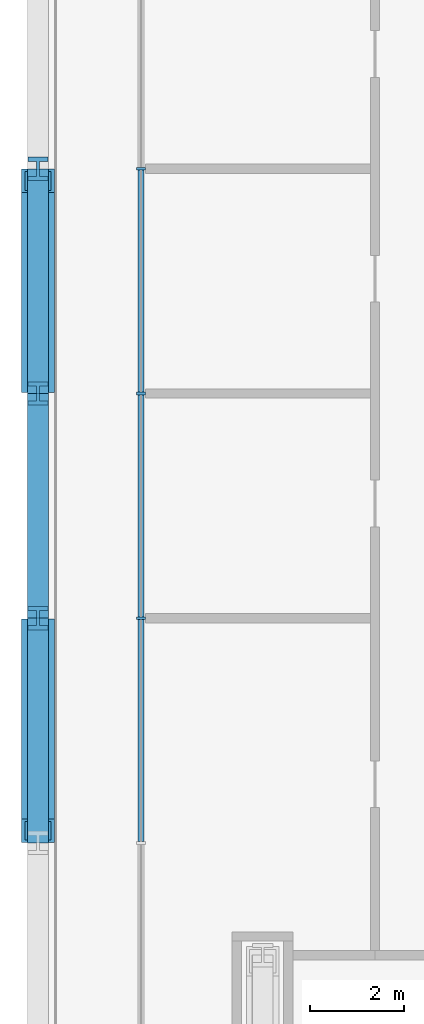
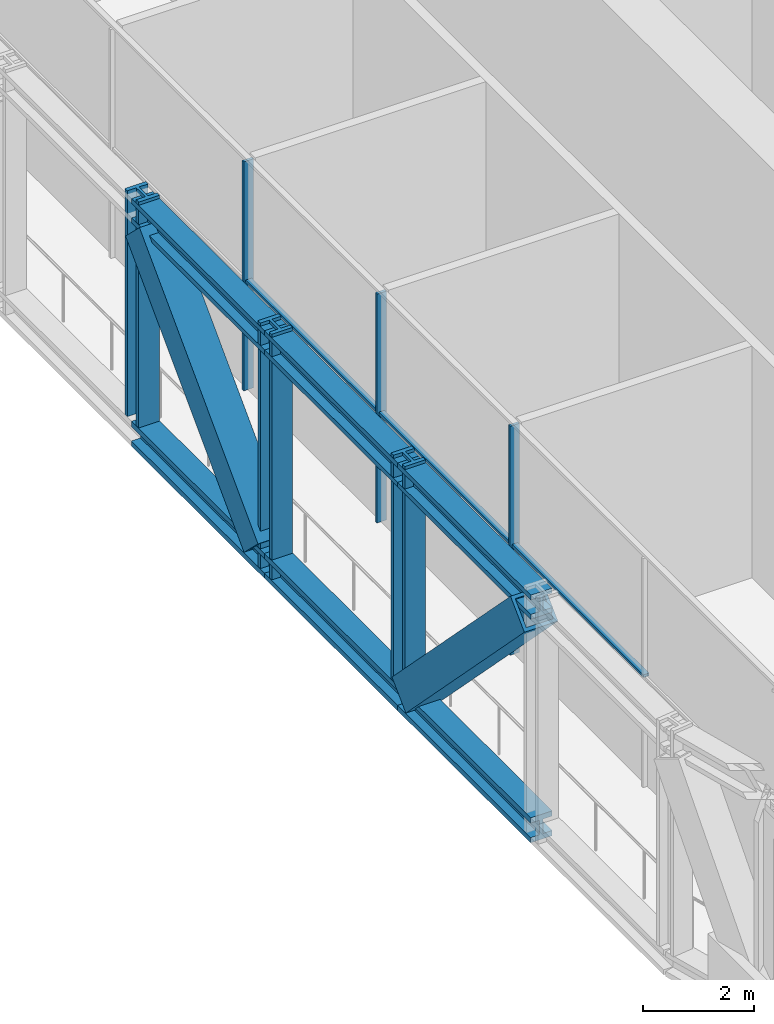
# One storey, part 3 of 23: 17 members, 1 element without a shape of its own.
"""IFC4 building model written with IfcOpenShell, lengths in metres."""

from ifc_helpers import new_model, si_unit, direction, frame, origin, origin_2d, place, context, subcontext, project, spatial, rectangle, hollow_rectangle, i_section, extrude, material, layer, layer_set, material_profile, profile_set, type_object, element, aggregate, save


model = new_model("IFC4")

# Units and contexts
model_context = context("Model", 3, precision=1e-05, world=origin(), true_north=direction((0.0, 1.0)))
body_context = subcontext(model_context, "Body", "Model", "MODEL_VIEW")
ifc_project = project(units=[si_unit("LENGTHUNIT", "METRE"), si_unit("AREAUNIT", "SQUARE_METRE"), si_unit("VOLUMEUNIT", "CUBIC_METRE"), si_unit("PLANEANGLEUNIT", "RADIAN"), si_unit("MASSUNIT", "GRAM", prefix="KILO")], contexts=[model_context])

# Site, building, storey
site_placement = place(None, origin())
site = spatial("IfcSite", under=ifc_project, at=site_placement, CompositionType="ELEMENT")
building_placement = place(site_placement, origin())
building = spatial("IfcBuilding", under=site, at=building_placement, Name="Madar Terraces", CompositionType="ELEMENT")
storey_placement = place(building_placement, frame((0.0, 0.0, 83.800048828125)))
storey = spatial("IfcBuildingStorey", under=building, at=storey_placement, Name="L21", CompositionType="ELEMENT", Elevation=83.800048828125)

# Members
ifc_material_1 = material(Name="Steel ASTM A913 Grade 65", Category="steel")
ifc_material_profile_1 = material_profile(ifc_material_1, i_section(OverallWidth=0.449462890625, OverallDepth=0.548583984375, WebThickness=0.07177734375, FlangeThickness=0.11474609375, at=origin_2d()), Name="W14x665")
ifc_profile_set_1 = profile_set([ifc_material_profile_1], Name="Steel ASTM A913 Grade 65")
member_type_1 = type_object("IfcMemberType", Name="BC3 W14x665", PredefinedType="CHORD", material=ifc_profile_set_1)
for number, where, z_axis, x_axis, name in (
    (1, (4.800048828125, 28.800048828125, -0.145751953125), (0.0, -1.0, 0.0), (1.0, 0.0, 0.0), "Exoskeleton truss ring bottom chord BC3"),
    (2, (4.800048828125, 24.0, -0.145751953125), (0.0, -1.0, 0.0), (1.0, 0.0, 0.0), "Exoskeleton truss ring bottom chord BC3"),
    (3, (4.800048828125, 19.199951171875, -0.145751953125), (0.0, -1.0, 0.0), (1.0, 0.0, 0.0), "Exoskeleton truss ring bottom chord BC3"),
):
    element("IfcMember", number, at=place(storey_placement, frame(where, z_axis=z_axis, x_axis=x_axis)), inside=storey, type_object=member_type_1, Name=name, PredefinedType="CHORD", context=body_context, shape_type="SweptSolid", body=[
        extrude(i_section(OverallWidth=0.449462890625, OverallDepth=0.548583984375, WebThickness=0.07177734375, FlangeThickness=0.11474609375, at=origin_2d()), origin(), (0.0, 0.0, 1.0), 4.800048828125),
    ])

# Curtain wall, members
ifc_material_2 = material(Name="Glass, ceramic frit dark grey, with black aluminium frame", Category="aluminium")
ifc_layer = layer(ifc_material_2, 0.199951171875)
ifc_layer_set = layer_set([ifc_layer], Name="Facade curtain wall, tall glazing")
curtain_wall_type = type_object("IfcCurtainWallType", Name="Facade curtain wall, tall glazing", PredefinedType="NOTDEFINED", material=ifc_layer_set)
curtain_wall_placement = place(storey_placement, origin())
curtain_wall = element("IfcCurtainWall", 4, at=curtain_wall_placement, inside=storey, type_object=curtain_wall_type, Name="Outer skin curtain wall west bay 1", PredefinedType="NOTDEFINED")
ifc_material_3 = material(Name="Aluminium, black anodised", Category="aluminium")
ifc_material_profile_2 = material_profile(ifc_material_3, rectangle(XDim=0.199951171875, YDim=0.06005859375, at=origin_2d()), Name="Facade mullion 60x200")
ifc_profile_set_2 = profile_set([ifc_material_profile_2], Name="Aluminium, black anodised")
member_type_2 = type_object("IfcMemberType", Name="Facade mullion 60x200", PredefinedType="MULLION", material=ifc_profile_set_2)
member_1_placement = place(storey_placement, frame((7.0, 28.800048828125, 0.0), z_axis=(0.0, 0.0, 1.0), x_axis=(1.0, 0.0, 0.0)))
member_1 = element("IfcMember", 5, at=member_1_placement, type_object=member_type_2, Name="Mullion 4", PredefinedType="MULLION", context=body_context, shape_type="SweptSolid", body=[
    extrude(rectangle(XDim=0.199951171875, YDim=0.06005859375, at=origin_2d()), origin(), (0.0, 0.0, 1.0), 5.0400390625),
])
member_2_placement = place(storey_placement, frame((7.0, 24.0, 0.0), z_axis=(0.0, 0.0, 1.0), x_axis=(1.0, 0.0, 0.0)))
member_2 = element("IfcMember", 6, at=member_2_placement, type_object=member_type_2, Name="Mullion 5", PredefinedType="MULLION", context=body_context, shape_type="SweptSolid", body=[
    extrude(rectangle(XDim=0.199951171875, YDim=0.06005859375, at=origin_2d()), origin(), (0.0, 0.0, 1.0), 5.0400390625),
])
member_3_placement = place(storey_placement, frame((7.0, 19.199951171875, 0.0), z_axis=(0.0, 0.0, 1.0), x_axis=(1.0, 0.0, 0.0)))
member_3 = element("IfcMember", 7, at=member_3_placement, type_object=member_type_2, Name="Mullion 6", PredefinedType="MULLION", context=body_context, shape_type="SweptSolid", body=[
    extrude(rectangle(XDim=0.199951171875, YDim=0.06005859375, at=origin_2d()), origin(), (0.0, 0.0, 1.0), 5.0400390625),
])
ifc_material_4 = material(Name="Aluminium, black anodised", Category="aluminium")
ifc_material_profile_3 = material_profile(ifc_material_4, rectangle(XDim=0.1201171875, YDim=0.06005859375, at=origin_2d()), Name="Facade transom 60x120")
ifc_profile_set_3 = profile_set([ifc_material_profile_3], Name="Aluminium, black anodised")
member_type_3 = type_object("IfcMemberType", Name="Facade transom 60x120", PredefinedType="USERDEFINED", material=ifc_profile_set_3)
member_4_placement = place(storey_placement, frame((7.0, 28.77001953125, 2.39990234375), z_axis=(0.0, -1.0, 0.0), x_axis=(1.0, 0.0, 0.0)))
member_4 = element("IfcMember", 8, at=member_4_placement, type_object=member_type_3, Name="Transom 6", ObjectType="TRANSOM", PredefinedType="USERDEFINED", context=body_context, shape_type="SweptSolid", body=[
    extrude(rectangle(XDim=0.1201171875, YDim=0.06005859375, at=origin_2d()), origin(), (0.0, 0.0, 1.0), 4.739990234375),
])
member_5_placement = place(storey_placement, frame((7.0, 23.969970703125, 2.39990234375), z_axis=(0.0, -1.0, 0.0), x_axis=(1.0, 0.0, 0.0)))
member_5 = element("IfcMember", 9, at=member_5_placement, type_object=member_type_3, Name="Transom 7", ObjectType="TRANSOM", PredefinedType="USERDEFINED", context=body_context, shape_type="SweptSolid", body=[
    extrude(rectangle(XDim=0.1201171875, YDim=0.06005859375, at=origin_2d()), origin(), (0.0, 0.0, 1.0), 4.739990234375),
])
member_6_placement = place(storey_placement, frame((7.0, 19.169921875, 2.39990234375), z_axis=(0.0, -1.0, 0.0), x_axis=(1.0, 0.0, 0.0)))
member_6 = element("IfcMember", 10, at=member_6_placement, type_object=member_type_3, Name="Transom 8", ObjectType="TRANSOM", PredefinedType="USERDEFINED", context=body_context, shape_type="SweptSolid", body=[
    extrude(rectangle(XDim=0.1201171875, YDim=0.06005859375, at=origin_2d()), origin(), (0.0, 0.0, 1.0), 4.739990234375),
])
aggregate(curtain_wall, [member_1, member_2, member_3, member_4, member_5, member_6])

# Members
ifc_material_5 = material(Name="Steel ASTM A913 Grade 65", Category="steel")
ifc_material_profile_4 = material_profile(ifc_material_5, i_section(OverallWidth=0.44189453125, OverallDepth=0.53076171875, WebThickness=0.06591796875, FlangeThickness=0.105712890625, at=origin_2d()), Name="W14x605")
ifc_profile_set_4 = profile_set([ifc_material_profile_4], Name="Steel ASTM A913 Grade 65")
member_type_4 = type_object("IfcMemberType", Name="TC3 W14x605", PredefinedType="CHORD", material=ifc_profile_set_4)
for number, where, z_axis, x_axis, name in (
    (11, (4.800048828125, 28.800048828125, 4.764404296875), (0.0, -1.0, 0.0), (1.0, 0.0, 0.0), "Exoskeleton truss ring top chord TC3"),
    (12, (4.800048828125, 24.0, 4.764404296875), (0.0, -1.0, 0.0), (1.0, 0.0, 0.0), "Exoskeleton truss ring top chord TC3"),
    (13, (4.800048828125, 19.199951171875, 4.764404296875), (0.0, -1.0, 0.0), (1.0, 0.0, 0.0), "Exoskeleton truss ring top chord TC3"),
):
    element("IfcMember", number, at=place(storey_placement, frame(where, z_axis=z_axis, x_axis=x_axis)), inside=storey, type_object=member_type_4, Name=name, PredefinedType="CHORD", context=body_context, shape_type="SweptSolid", body=[
        extrude(i_section(OverallWidth=0.44189453125, OverallDepth=0.53076171875, WebThickness=0.06591796875, FlangeThickness=0.105712890625, at=origin_2d()), origin(), (0.0, 0.0, 1.0), 4.800048828125),
    ])
ifc_material_6 = material(Name="Steel ASTM A572 Grade 50", Category="steel")
ifc_material_profile_5 = material_profile(ifc_material_6, hollow_rectangle(XDim=0.699951171875, YDim=0.699951171875, WallThickness=0.070068359375, at=origin_2d()), Name="BOX700x700x70")
ifc_profile_set_5 = profile_set([ifc_material_profile_5], Name="Steel ASTM A572 Grade 50")
member_type_5 = type_object("IfcMemberType", Name="TD3 BOX700x700x70", PredefinedType="BRACE", material=ifc_profile_set_5)
for number, where, z_axis, x_axis, name in (
    (14, (4.800048828125, 28.54052734375, 4.4990234375), (0.0, -0.699052279579, -0.715070563242), (1.0, 0.0, 0.0), "Exoskeleton truss ring diagonal TD3"),
    (15, (4.800048828125, 18.931884765625, 0.128662109375), (0.0, -0.699052279579, 0.715070563242), (1.0, 0.0, 0.0), "Exoskeleton truss ring diagonal TD3"),
):
    element("IfcMember", number, at=place(storey_placement, frame(where, z_axis=z_axis, x_axis=x_axis)), inside=storey, type_object=member_type_5, Name=name, PredefinedType="BRACE", context=body_context, shape_type="SweptSolid", body=[
        extrude(hollow_rectangle(XDim=0.699951171875, YDim=0.699951171875, WallThickness=0.070068359375, at=origin_2d()), origin(), (0.0, 0.0, 1.0), 6.11181640625),
    ])
ifc_material_7 = material(Name="Steel ASTM A913 Grade 65", Category="steel")
ifc_material_profile_6 = material_profile(ifc_material_7, i_section(OverallWidth=0.431884765625, OverallDepth=0.497802734375, WebThickness=0.0556640625, FlangeThickness=0.0888671875, at=origin_2d()), Name="W14x500")
ifc_profile_set_6 = profile_set([ifc_material_profile_6], Name="Steel ASTM A913 Grade 65")
member_type_6 = type_object("IfcMemberType", Name="TV3 W14x500", PredefinedType="POST", material=ifc_profile_set_6)
member_7_placement = place(storey_placement, frame((4.800048828125, 28.800048828125, 0.128662109375), z_axis=(0.0, 0.0, 1.0), x_axis=(1.0, 0.0, 0.0)))
element("IfcMember", 16, at=member_7_placement, inside=storey, type_object=member_type_6, Name="Exoskeleton truss ring post TV3", PredefinedType="POST", context=body_context, shape_type="SweptSolid", body=[
    extrude(i_section(OverallWidth=0.431884765625, OverallDepth=0.497802734375, WebThickness=0.0556640625, FlangeThickness=0.0888671875, at=origin_2d()), origin(), (0.0, 0.0, 1.0), 4.97119140625),
])
member_8_placement = place(storey_placement, frame((4.800048828125, 24.0, -0.420166015625), z_axis=(0.0, 0.0, 1.0), x_axis=(1.0, 0.0, 0.0)))
element("IfcMember", 17, at=member_8_placement, inside=storey, type_object=member_type_6, Name="Exoskeleton truss ring post TV3", PredefinedType="POST", context=body_context, shape_type="SweptSolid", body=[
    extrude(i_section(OverallWidth=0.431884765625, OverallDepth=0.497802734375, WebThickness=0.0556640625, FlangeThickness=0.0888671875, at=origin_2d()), origin(), (0.0, 0.0, 1.0), 5.52001953125),
])
member_9_placement = place(storey_placement, frame((4.800048828125, 19.199951171875, 0.128662109375), z_axis=(0.0, 0.0, 1.0), x_axis=(1.0, 0.0, 0.0)))
element("IfcMember", 18, at=member_9_placement, inside=storey, type_object=member_type_6, Name="Exoskeleton truss ring post TV3", PredefinedType="POST", context=body_context, shape_type="SweptSolid", body=[
    extrude(i_section(OverallWidth=0.431884765625, OverallDepth=0.497802734375, WebThickness=0.0556640625, FlangeThickness=0.0888671875, at=origin_2d()), origin(), (0.0, 0.0, 1.0), 4.97119140625),
])

save(model, "model.ifc")
